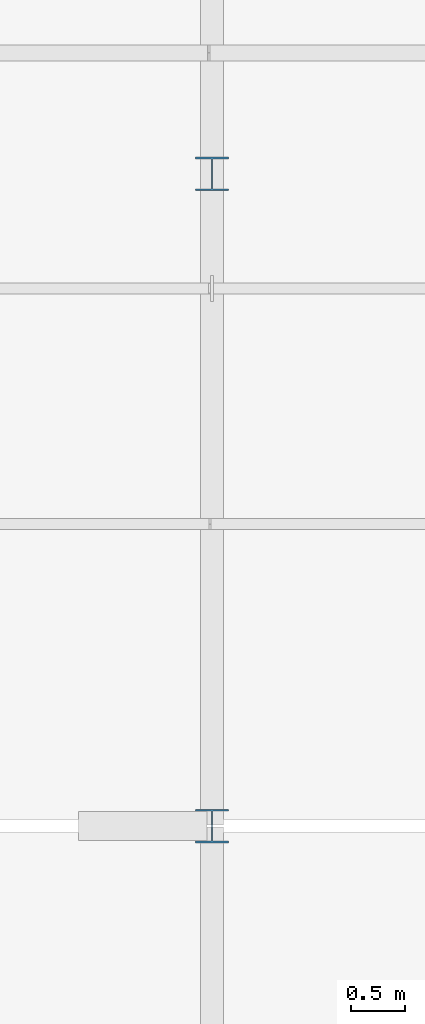
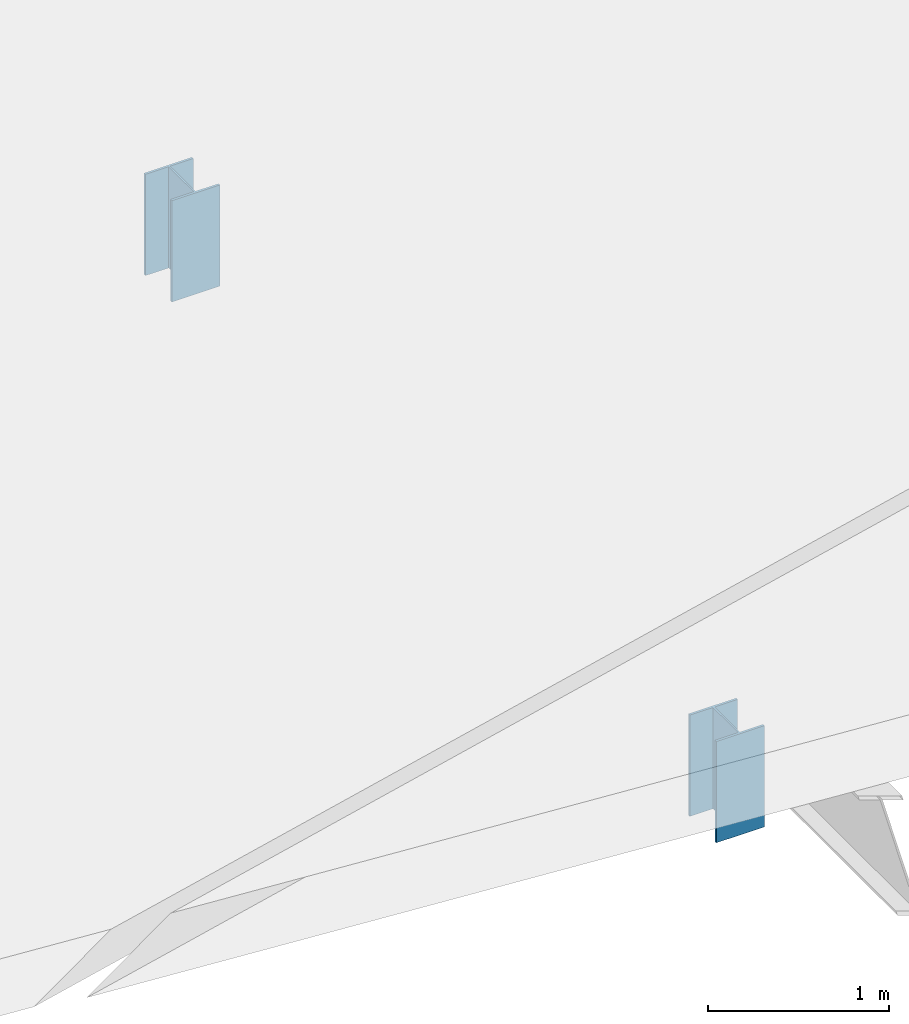
# One storey, part 24 of 74: 2 members.
"""IFC4 building model written with IfcOpenShell, lengths in metres."""

from ifc_helpers import new_model, si_unit, direction, frame, origin, origin_2d, place, context, subcontext, project, spatial, i_section, extrude, material, material_profile, profile_set, type_object, element, save


model = new_model("IFC4")

# Units and contexts
model_context = context("Model", 3, precision=1e-05, world=origin(), true_north=direction((0.0, 1.0)))
body_context = subcontext(model_context, "Body", "Model", "MODEL_VIEW")
ifc_project = project(units=[si_unit("LENGTHUNIT", "METRE"), si_unit("AREAUNIT", "SQUARE_METRE"), si_unit("VOLUMEUNIT", "CUBIC_METRE"), si_unit("PLANEANGLEUNIT", "RADIAN"), si_unit("MASSUNIT", "GRAM", prefix="KILO")], contexts=[model_context])

# Site, building, storey
site_placement = place(None, origin())
site = spatial("IfcSite", under=ifc_project, at=site_placement, CompositionType="ELEMENT")
building_placement = place(site_placement, origin())
building = spatial("IfcBuilding", under=site, at=building_placement, Name="Siltcreek Boulevard Central Fire Station", CompositionType="ELEMENT")
storey_placement = place(building_placement, frame((0.0, 0.0, 25.199951171875)))
storey = spatial("IfcBuildingStorey", under=building, at=storey_placement, Name="RF", CompositionType="ELEMENT", Elevation=25.199951171875)

# Members
ifc_material = material(Name="Structural steel ASTM A992 Gr50", Category="steel")
ifc_material_profile = material_profile(ifc_material, i_section(OverallWidth=0.304931640625, OverallDepth=0.30810546875, WebThickness=0.010009765625, FlangeThickness=0.015380859375, at=origin_2d()), Name="W310X97")
ifc_profile_set = profile_set([ifc_material_profile], Name="Structural steel ASTM A992 Gr50")
member_type = type_object("IfcMemberType", Name="CH_W310X97", PredefinedType="CHORD", material=ifc_profile_set)
for number, where, z_axis, x_axis, name in (
    (1, (7.800048828125, 42.0, -15.199951171875), (0.0, 0.0, 1.0), (1.0, 0.0, 0.0), "Roof bearing truss post 0663"),
    (2, (7.800048828125, 48.0, -15.199951171875), (0.0, 0.0, 1.0), (1.0, 0.0, 0.0), "Roof bearing truss post 0664"),
):
    element("IfcMember", number, at=place(storey_placement, frame(where, z_axis=z_axis, x_axis=x_axis)), inside=storey, type_object=member_type, Name=name, PredefinedType="CHORD", context=body_context, shape_type="SweptSolid", body=[
        extrude(i_section(OverallWidth=0.304931640625, OverallDepth=0.30810546875, WebThickness=0.010009765625, FlangeThickness=0.015380859375, at=origin_2d()), origin(), (0.0, 0.0, 1.0), 0.681396484375),
    ])

save(model, "model.ifc")
